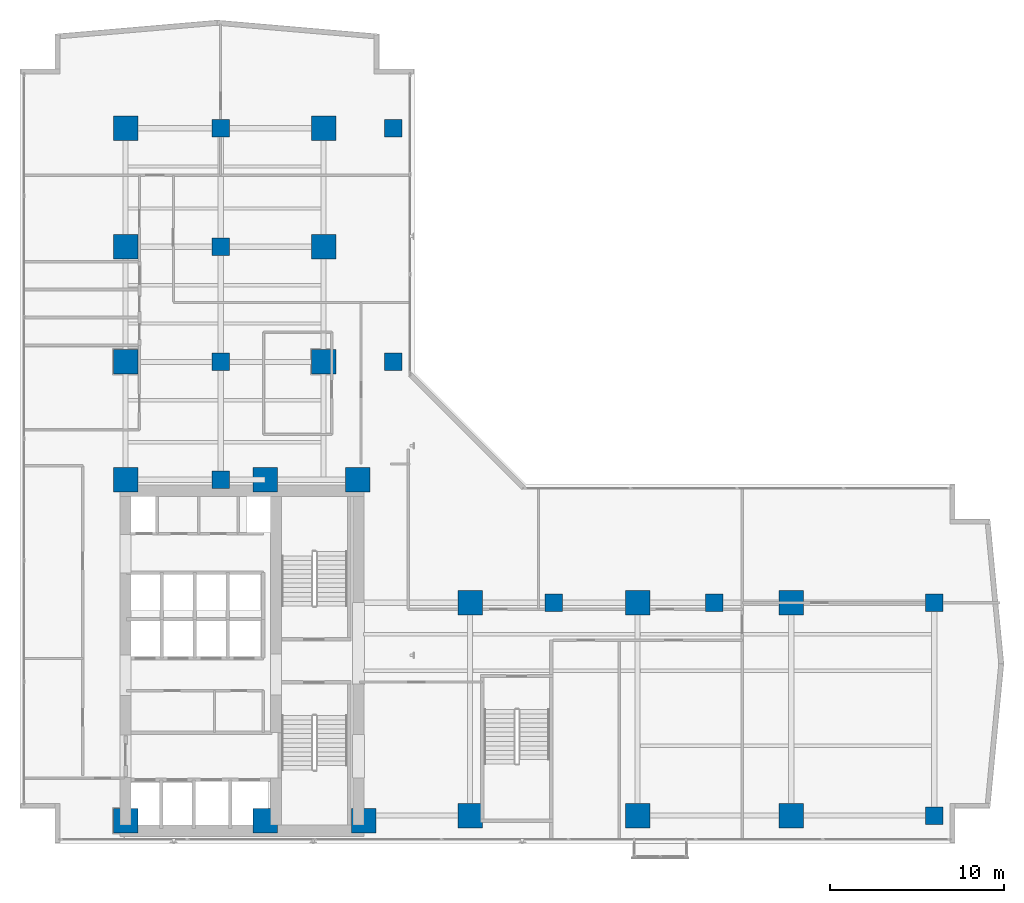
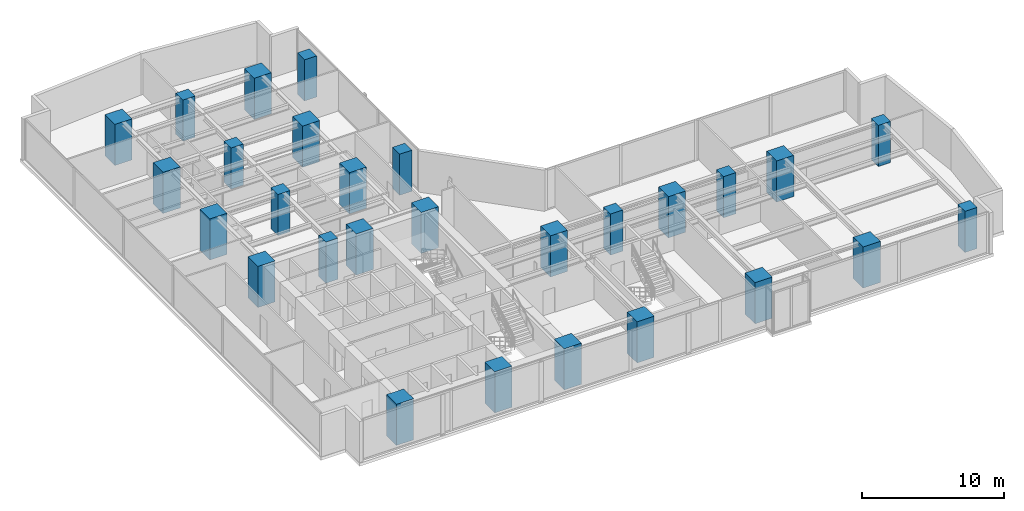
# One storey, part 1 of 28: 28 columns.
"""IFC4 building model written with IfcOpenShell, lengths in metres."""

from ifc_helpers import new_model, si_unit, direction, frame, origin, origin_2d, place, context, subcontext, project, spatial, rectangle, extrude, material, material_profile, profile_set, type_object, element, save


model = new_model("IFC4")

# Units and contexts
model_context = context("Model", 3, precision=1e-05, world=origin(), true_north=direction((0.0, 1.0)))
body_context = subcontext(model_context, "Body", "Model", "MODEL_VIEW")
ifc_project = project(units=[si_unit("LENGTHUNIT", "METRE"), si_unit("AREAUNIT", "SQUARE_METRE"), si_unit("VOLUMEUNIT", "CUBIC_METRE"), si_unit("PLANEANGLEUNIT", "RADIAN"), si_unit("MASSUNIT", "GRAM", prefix="KILO")], contexts=[model_context])

# Site, building, storey
site_placement = place(None, origin())
site = spatial("IfcSite", under=ifc_project, at=site_placement, CompositionType="ELEMENT")
building_placement = place(site_placement, origin())
building = spatial("IfcBuilding", under=site, at=building_placement, Name="Kolvaren Waterfront Exchange", CompositionType="ELEMENT")
storey_placement = place(building_placement, frame((0.0, 0.0, 133.5)))
storey = spatial("IfcBuildingStorey", under=building, at=storey_placement, Name="L34", CompositionType="ELEMENT", Elevation=133.5)

# Columns
ifc_material = material(Name="Concrete C60/75", Category="concrete")
ifc_material_profile_1 = material_profile(ifc_material, rectangle(XDim=1.0, YDim=1.0, at=origin_2d()), Name="RC-COL-1000x1000")
ifc_profile_set_1 = profile_set([ifc_material_profile_1], Name="Concrete C60/75")
column_type_1 = type_object("IfcColumnType", Name="STR-COL-1000-C60", PredefinedType="COLUMN", material=ifc_profile_set_1)
for number, where, z_axis, x_axis, name in (
    (1, (53.800048828125, 5.199951171875, 0.0), (0.0, 0.0, 1.0), (1.0, 0.0, 0.0), "L34 column ZC01"),
    (2, (53.800048828125, 17.39990234375, 0.0), (0.0, 0.0, 1.0), (1.0, 0.0, 0.0), "L34 column ZC02"),
    (3, (22.800048828125, 31.199951171875, 0.0), (0.0, 0.0, 1.0), (1.0, 0.0, 0.0), "L34 column ZC05"),
    (4, (22.800048828125, 44.60009765625, 0.0), (0.0, 0.0, 1.0), (1.0, 0.0, 0.0), "L34 column ZC06"),
    (5, (12.89990234375, 24.449951171875, 0.0), (0.0, 0.0, 1.0), (1.0, 0.0, 0.0), "L34 column TC01"),
    (6, (12.89990234375, 31.199951171875, 0.0), (0.0, 0.0, 1.0), (1.0, 0.0, 0.0), "L34 column TC02"),
    (7, (12.89990234375, 37.800048828125, 0.0), (0.0, 0.0, 1.0), (1.0, 0.0, 0.0), "L34 column TC03"),
    (8, (12.89990234375, 44.60009765625, 0.0), (0.0, 0.0, 1.0), (1.0, 0.0, 0.0), "L34 column TC04"),
    (9, (32.0, 17.39990234375, 0.0), (0.0, 0.0, 1.0), (1.0, 0.0, 0.0), "L34 column TC05"),
    (10, (41.199951171875, 17.39990234375, 0.0), (0.0, 0.0, 1.0), (1.0, 0.0, 0.0), "L34 column TC06"),
):
    element("IfcColumn", number, at=place(storey_placement, frame(where, z_axis=z_axis, x_axis=x_axis)), inside=storey, type_object=column_type_1, Name=name, PredefinedType="COLUMN", context=body_context, shape_type="SweptSolid", body=[
        extrude(rectangle(XDim=1.0, YDim=1.0, at=origin_2d()), origin(), (0.0, 0.0, 1.0), 3.5400390625),
    ])
ifc_material_profile_2 = material_profile(ifc_material, rectangle(XDim=1.39990234375, YDim=1.39990234375, at=origin_2d()), Name="RC-COL-1400x1400")
ifc_profile_set_2 = profile_set([ifc_material_profile_2], Name="Concrete C60/75")
column_type_2 = type_object("IfcColumnType", Name="STR-COL-1400-C60", PredefinedType="COLUMN", material=ifc_profile_set_2)
for number, where, z_axis, x_axis, name in (
    (11, (7.449951171875, 4.89990234375, 0.0), (0.0, 0.0, 1.0), (1.0, 0.0, 0.0), "L34 column MC01"),
    (12, (15.449951171875, 4.89990234375, 0.0), (0.0, 0.0, 1.0), (1.0, 0.0, 0.0), "L34 column MC02"),
    (13, (21.10009765625, 4.89990234375, 0.0), (0.0, 0.0, 1.0), (1.0, 0.0, 0.0), "L34 column MC03"),
    (14, (7.449951171875, 24.449951171875, 0.0), (0.0, 0.0, 1.0), (1.0, 0.0, 0.0), "L34 column MC04"),
    (15, (15.449951171875, 24.449951171875, 0.0), (0.0, 0.0, 1.0), (1.0, 0.0, 0.0), "L34 column MC05"),
    (16, (20.75, 24.449951171875, 0.0), (0.0, 0.0, 1.0), (1.0, 0.0, 0.0), "L34 column MC06"),
    (17, (7.449951171875, 31.199951171875, 0.0), (0.0, 0.0, 1.0), (1.0, 0.0, 0.0), "L34 column NC01"),
    (18, (7.449951171875, 37.800048828125, 0.0), (0.0, 0.0, 1.0), (1.0, 0.0, 0.0), "L34 column NC02"),
    (19, (7.449951171875, 44.60009765625, 0.0), (0.0, 0.0, 1.0), (1.0, 0.0, 0.0), "L34 column NC03"),
    (20, (18.800048828125, 31.199951171875, 0.0), (0.0, 0.0, 1.0), (1.0, 0.0, 0.0), "L34 column NC04"),
    (21, (18.800048828125, 37.800048828125, 0.0), (0.0, 0.0, 1.0), (1.0, 0.0, 0.0), "L34 column NC05"),
    (22, (18.800048828125, 44.60009765625, 0.0), (0.0, 0.0, 1.0), (1.0, 0.0, 0.0), "L34 column NC06"),
    (23, (27.199951171875, 5.199951171875, 0.0), (0.0, 0.0, 1.0), (1.0, 0.0, 0.0), "L34 column EC01"),
    (24, (36.800048828125, 5.199951171875, 0.0), (0.0, 0.0, 1.0), (1.0, 0.0, 0.0), "L34 column EC02"),
    (25, (45.60009765625, 5.199951171875, 0.0), (0.0, 0.0, 1.0), (1.0, 0.0, 0.0), "L34 column EC03"),
    (26, (27.199951171875, 17.39990234375, 0.0), (0.0, 0.0, 1.0), (1.0, 0.0, 0.0), "L34 column EC04"),
    (27, (36.800048828125, 17.39990234375, 0.0), (0.0, 0.0, 1.0), (1.0, 0.0, 0.0), "L34 column EC05"),
    (28, (45.60009765625, 17.39990234375, 0.0), (0.0, 0.0, 1.0), (1.0, 0.0, 0.0), "L34 column EC06"),
):
    element("IfcColumn", number, at=place(storey_placement, frame(where, z_axis=z_axis, x_axis=x_axis)), inside=storey, type_object=column_type_2, Name=name, PredefinedType="COLUMN", context=body_context, shape_type="SweptSolid", body=[
        extrude(rectangle(XDim=1.39990234375, YDim=1.39990234375, at=origin_2d()), origin(), (0.0, 0.0, 1.0), 3.5400390625),
    ])

save(model, "model.ifc")
